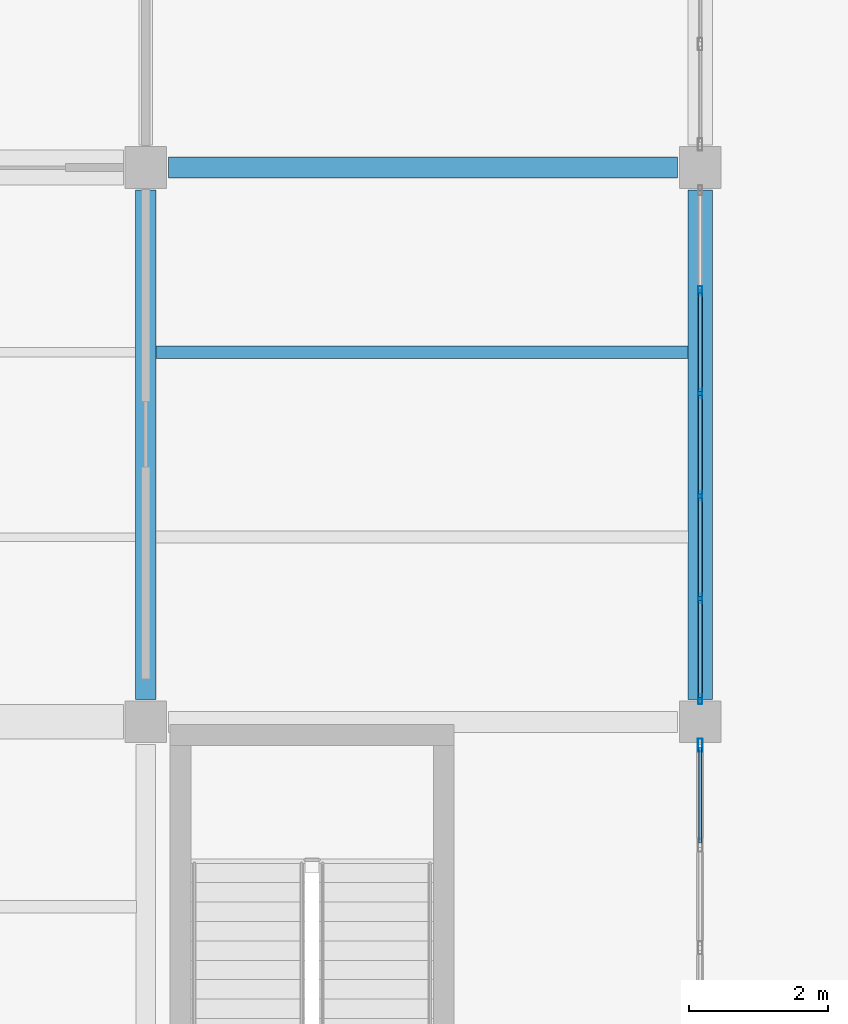
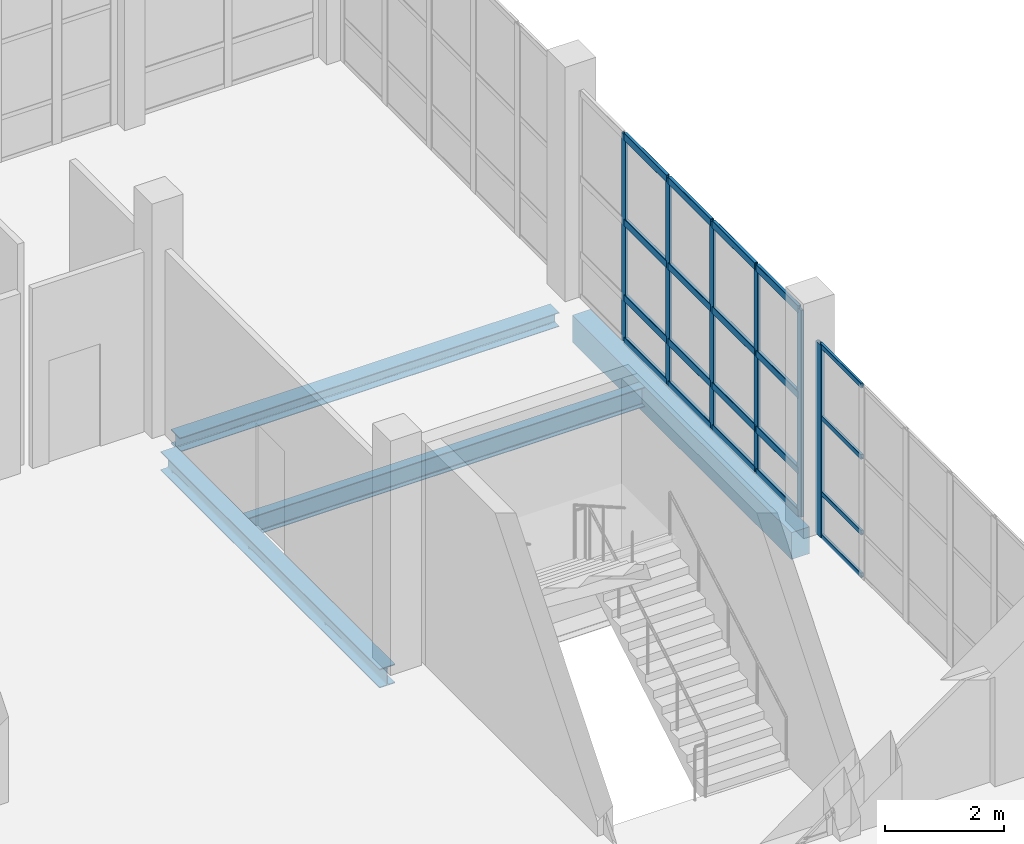
# One storey, part 70 of 156: 26 members, 4 beams, 2 elements without a shape of their own.
"""IFC4 building model written with IfcOpenShell, lengths in metres."""

from ifc_helpers import new_model, si_unit, direction, frame, origin, origin_2d, place, context, subcontext, project, spatial, rectangle, hollow_rectangle, i_section, extrude, material, material_profile, profile_set, type_object, element, aggregate, save


model = new_model("IFC4")

# Units and contexts
model_context = context("Model", 3, precision=1e-05, world=origin(), true_north=direction((0.0, 1.0)))
body_context = subcontext(model_context, "Body", "Model", "MODEL_VIEW")
ifc_project = project(units=[si_unit("LENGTHUNIT", "METRE"), si_unit("AREAUNIT", "SQUARE_METRE"), si_unit("VOLUMEUNIT", "CUBIC_METRE"), si_unit("PLANEANGLEUNIT", "RADIAN"), si_unit("MASSUNIT", "GRAM", prefix="KILO")], contexts=[model_context])

# Site, building, storey
site_placement = place(None, origin())
site = spatial("IfcSite", under=ifc_project, at=site_placement, CompositionType="ELEMENT")
building_placement = place(site_placement, origin())
building = spatial("IfcBuilding", under=site, at=building_placement, Name="Luwemba Playhouse", CompositionType="ELEMENT")
storey_placement = place(building_placement, origin())
storey = spatial("IfcBuildingStorey", under=building, at=storey_placement, Name="L00", CompositionType="ELEMENT", Elevation=0.0)

# Beams
ifc_material_1 = material(Name="Steel S355", Category="steel")
ifc_material_profile_1 = material_profile(ifc_material_1, i_section(OverallWidth=0.300048828125, OverallDepth=0.2900390625, WebThickness=0.008544921875, FlangeThickness=0.013916015625, FilletRadius=0.027099609375, at=origin_2d()))
ifc_profile_set_1 = profile_set([ifc_material_profile_1], Name="Steel S355")
beam_type_1 = type_object("IfcBeamType", Name="BM-SB03", PredefinedType="BEAM", material=ifc_profile_set_1)
beam_1_placement = place(storey_placement, frame((164.324951171875, 19.0, -0.445068359375), z_axis=(1.0, 0.0, 0.0), x_axis=(0.0, 1.0, 0.0)))
element("IfcBeam", 1, at=beam_1_placement, inside=storey, type_object=beam_type_1, Name="L00 grid girder 0222", PredefinedType="BEAM", context=body_context, shape_type="SweptSolid", body=[
    extrude(i_section(OverallWidth=0.300048828125, OverallDepth=0.2900390625, WebThickness=0.008544921875, FlangeThickness=0.013916015625, FilletRadius=0.027099609375, at=origin_2d()), origin(), (0.0, 0.0, 1.0), 7.35009765625),
])
ifc_material_profile_2 = material_profile(ifc_material_1, i_section(OverallWidth=0.300048828125, OverallDepth=0.389892578125, WebThickness=0.010986328125, FlangeThickness=0.01904296875, FilletRadius=0.027099609375, at=origin_2d()))
ifc_profile_set_2 = profile_set([ifc_material_profile_2], Name="Steel S355")
beam_type_2 = type_object("IfcBeamType", Name="BM-SB05", PredefinedType="BEAM", material=ifc_profile_set_2)
beam_2_placement = place(storey_placement, frame((164.0, 11.324951171875, -0.4951171875), z_axis=(0.0, 1.0, 0.0), x_axis=(-1.0, 0.0, 0.0)))
element("IfcBeam", 2, at=beam_2_placement, inside=storey, type_object=beam_type_2, Name="L00 transverse girder 0249", PredefinedType="BEAM", context=body_context, shape_type="SweptSolid", body=[
    extrude(i_section(OverallWidth=0.300048828125, OverallDepth=0.389892578125, WebThickness=0.010986328125, FlangeThickness=0.01904296875, FilletRadius=0.027099609375, at=origin_2d()), origin(), (0.0, 0.0, 1.0), 7.35009765625),
])
ifc_material_profile_3 = material_profile(ifc_material_1, i_section(OverallWidth=0.179931640625, OverallDepth=0.39990234375, WebThickness=0.008544921875, FlangeThickness=0.013427734375, FilletRadius=0.02099609375, at=origin_2d()))
ifc_profile_set_3 = profile_set([ifc_material_profile_3], Name="Steel S355")
beam_type_3 = type_object("IfcBeamType", Name="BM-SJ08", PredefinedType="JOIST", material=ifc_profile_set_3)
beam_3_placement = place(storey_placement, frame((164.14599609375, 16.333251953125, -0.5), z_axis=(1.0, 0.0, 0.0), x_axis=(0.0, 1.0, 0.0)))
element("IfcBeam", 3, at=beam_3_placement, inside=storey, type_object=beam_type_3, Name="L00 composite floor joist 0190", PredefinedType="JOIST", context=body_context, shape_type="SweptSolid", body=[
    extrude(i_section(OverallWidth=0.179931640625, OverallDepth=0.39990234375, WebThickness=0.008544921875, FlangeThickness=0.013427734375, FilletRadius=0.02099609375, at=origin_2d()), origin(), (0.0, 0.0, 1.0), 7.68310546875),
])
ifc_material_2 = material(Name="Concrete C40/50", Category="concrete")
ifc_material_profile_4 = material_profile(ifc_material_2, rectangle(XDim=0.35009765625, YDim=0.550048828125, at=origin_2d()))
ifc_profile_set_4 = profile_set([ifc_material_profile_4], Name="Concrete C40/50")
beam_type_4 = type_object("IfcBeamType", Name="BM-SP2", PredefinedType="SPANDREL", material=ifc_profile_set_4)
beam_4_placement = place(storey_placement, frame((172.0, 11.324951171875, -0.574951171875), z_axis=(0.0, 1.0, 0.0), x_axis=(-1.0, 0.0, 0.0)))
element("IfcBeam", 4, at=beam_4_placement, inside=storey, type_object=beam_type_4, Name="L00 transverse girder 0252", PredefinedType="SPANDREL", context=body_context, shape_type="SweptSolid", body=[
    extrude(rectangle(XDim=0.35009765625, YDim=0.550048828125, at=origin_2d()), origin(), (0.0, 0.0, 1.0), 7.35009765625),
])

# Curtain wall, members
ifc_material_3 = material(Name="Solar-control double glazing", Category="glass")
curtain_wall_type_1 = type_object("IfcCurtainWallType", Name="CW-CW59", PredefinedType="USERDEFINED", material=ifc_material_3)
curtain_wall_1_placement = place(storey_placement, origin())
curtain_wall_1 = element("IfcCurtainWall", 5, at=curtain_wall_1_placement, inside=storey, type_object=curtain_wall_type_1, Name="L00 V5E unitised curtain wall 069", ObjectType="UNITISED GLAZING", PredefinedType="USERDEFINED")
ifc_material_4 = material(Name="Aluminium 6063-T6", Category="aluminium")
ifc_material_profile_5 = material_profile(ifc_material_4, hollow_rectangle(XDim=0.054931640625, YDim=0.139892578125, WallThickness=0.00390625, InnerFilletRadius=0.006103515625, OuterFilletRadius=0.010009765625, at=origin_2d()))
ifc_profile_set_5 = profile_set([ifc_material_profile_5], Name="Aluminium 6063-T6")
member_type_1 = type_object("IfcMemberType", Name="CWM-M3", PredefinedType="MULLION", material=ifc_profile_set_5)
member_1_placement = place(storey_placement, frame((172.0, 17.219970703125, 0.0), z_axis=(0.0, 0.0, 1.0), x_axis=(1.0, 0.0, 0.0)))
member_1 = element("IfcMember", 6, at=member_1_placement, type_object=member_type_1, Name="CW59 mullion 2", PredefinedType="MULLION", context=body_context, shape_type="SweptSolid", body=[
    extrude(hollow_rectangle(XDim=0.054931640625, YDim=0.139892578125, WallThickness=0.00390625, InnerFilletRadius=0.006103515625, OuterFilletRadius=0.010009765625, at=origin_2d()), origin(), (0.0, 0.0, 1.0), 4.235107421875),
])
member_2_placement = place(storey_placement, frame((172.0, 15.739990234375, 0.0), z_axis=(0.0, 0.0, 1.0), x_axis=(1.0, 0.0, 0.0)))
member_2 = element("IfcMember", 7, at=member_2_placement, type_object=member_type_1, Name="CW59 mullion 3", PredefinedType="MULLION", context=body_context, shape_type="SweptSolid", body=[
    extrude(hollow_rectangle(XDim=0.054931640625, YDim=0.139892578125, WallThickness=0.00390625, InnerFilletRadius=0.006103515625, OuterFilletRadius=0.010009765625, at=origin_2d()), origin(), (0.0, 0.0, 1.0), 4.235107421875),
])
member_3_placement = place(storey_placement, frame((172.0, 14.260009765625, 0.0), z_axis=(0.0, 0.0, 1.0), x_axis=(1.0, 0.0, 0.0)))
member_3 = element("IfcMember", 8, at=member_3_placement, type_object=member_type_1, Name="CW59 mullion 4", PredefinedType="MULLION", context=body_context, shape_type="SweptSolid", body=[
    extrude(hollow_rectangle(XDim=0.054931640625, YDim=0.139892578125, WallThickness=0.00390625, InnerFilletRadius=0.006103515625, OuterFilletRadius=0.010009765625, at=origin_2d()), origin(), (0.0, 0.0, 1.0), 4.235107421875),
])
member_4_placement = place(storey_placement, frame((172.0, 12.780029296875, 0.0), z_axis=(0.0, 0.0, 1.0), x_axis=(1.0, 0.0, 0.0)))
member_4 = element("IfcMember", 9, at=member_4_placement, type_object=member_type_1, Name="CW59 mullion 5", PredefinedType="MULLION", context=body_context, shape_type="SweptSolid", body=[
    extrude(hollow_rectangle(XDim=0.054931640625, YDim=0.139892578125, WallThickness=0.00390625, InnerFilletRadius=0.006103515625, OuterFilletRadius=0.010009765625, at=origin_2d()), origin(), (0.0, 0.0, 1.0), 4.235107421875),
])
member_5_placement = place(storey_placement, frame((172.0, 11.327392578125, 0.0), z_axis=(0.0, 0.0, 1.0), x_axis=(1.0, 0.0, 0.0)))
member_5 = element("IfcMember", 10, at=member_5_placement, type_object=member_type_1, Name="CW59 mullion 6", PredefinedType="MULLION", context=body_context, shape_type="SweptSolid", body=[
    extrude(hollow_rectangle(XDim=0.054931640625, YDim=0.139892578125, WallThickness=0.00390625, InnerFilletRadius=0.006103515625, OuterFilletRadius=0.010009765625, at=origin_2d()), origin(), (0.0, 0.0, 1.0), 4.235107421875),
])

# Curtain wall, member
curtain_wall_type_2 = type_object("IfcCurtainWallType", Name="CW-CW06", PredefinedType="USERDEFINED", material=ifc_material_3)
curtain_wall_2_placement = place(storey_placement, origin())
curtain_wall_2 = element("IfcCurtainWall", 11, at=curtain_wall_2_placement, inside=storey, type_object=curtain_wall_type_2, Name="L00 V5E unitised curtain wall 070", ObjectType="UNITISED GLAZING", PredefinedType="USERDEFINED")
ifc_material_profile_6 = material_profile(ifc_material_4, hollow_rectangle(XDim=0.070068359375, YDim=0.18994140625, WallThickness=0.0048828125, InnerFilletRadius=0.007568359375, OuterFilletRadius=0.012451171875, at=origin_2d()))
ifc_profile_set_6 = profile_set([ifc_material_profile_6], Name="Aluminium 6063-T6")
member_type_2 = type_object("IfcMemberType", Name="CWM-M4", PredefinedType="MULLION", material=ifc_profile_set_6)
member_6_placement = place(storey_placement, frame((172.0, 10.6650390625, 0.0), z_axis=(0.0, 0.0, 1.0), x_axis=(1.0, 0.0, 0.0)))
member_6 = element("IfcMember", 12, at=member_6_placement, type_object=member_type_2, Name="CW06 mullion 1", PredefinedType="MULLION", context=body_context, shape_type="SweptSolid", body=[
    extrude(hollow_rectangle(XDim=0.070068359375, YDim=0.18994140625, WallThickness=0.0048828125, InnerFilletRadius=0.007568359375, OuterFilletRadius=0.012451171875, at=origin_2d()), origin(), (0.0, 0.0, 1.0), 3.93505859375),
])

# Member
ifc_material_profile_7 = material_profile(ifc_material_4, hollow_rectangle(XDim=0.06494140625, YDim=0.14990234375, WallThickness=0.00390625, InnerFilletRadius=0.006103515625, OuterFilletRadius=0.010009765625, at=origin_2d()))
ifc_profile_set_7 = profile_set([ifc_material_profile_7], Name="Aluminium 6063-T6")
member_type_3 = type_object("IfcMemberType", Name="CWT-T3", PredefinedType="USERDEFINED", material=ifc_profile_set_7)
member_7_placement = place(storey_placement, frame((172.0, 17.1923828125, 0.032470703125), z_axis=(0.0, -1.0, 0.0), x_axis=(1.0, 0.0, 0.0)))
member_7 = element("IfcMember", 13, at=member_7_placement, type_object=member_type_3, Name="CW59 transom 2.1", ObjectType="TRANSOM", PredefinedType="USERDEFINED", context=body_context, shape_type="SweptSolid", body=[
    extrude(hollow_rectangle(XDim=0.06494140625, YDim=0.14990234375, WallThickness=0.00390625, InnerFilletRadius=0.006103515625, OuterFilletRadius=0.010009765625, at=origin_2d()), origin(), (0.0, 0.0, 1.0), 1.4248046875),
])

member_8_placement = place(storey_placement, frame((172.0, 17.1923828125, 0.89990234375), z_axis=(0.0, -1.0, 0.0), x_axis=(1.0, 0.0, 0.0)))
member_8 = element("IfcMember", 14, at=member_8_placement, type_object=member_type_3, Name="CW59 transom 2.2", ObjectType="TRANSOM", PredefinedType="USERDEFINED", context=body_context, shape_type="SweptSolid", body=[
    extrude(hollow_rectangle(XDim=0.06494140625, YDim=0.14990234375, WallThickness=0.00390625, InnerFilletRadius=0.006103515625, OuterFilletRadius=0.010009765625, at=origin_2d()), origin(), (0.0, 0.0, 1.0), 1.4248046875),
])

member_9_placement = place(storey_placement, frame((172.0, 17.1923828125, 2.449951171875), z_axis=(0.0, -1.0, 0.0), x_axis=(1.0, 0.0, 0.0)))
member_9 = element("IfcMember", 15, at=member_9_placement, type_object=member_type_3, Name="CW59 transom 2.3", ObjectType="TRANSOM", PredefinedType="USERDEFINED", context=body_context, shape_type="SweptSolid", body=[
    extrude(hollow_rectangle(XDim=0.06494140625, YDim=0.14990234375, WallThickness=0.00390625, InnerFilletRadius=0.006103515625, OuterFilletRadius=0.010009765625, at=origin_2d()), origin(), (0.0, 0.0, 1.0), 1.4248046875),
])

member_10_placement = place(storey_placement, frame((172.0, 17.1923828125, 4.202392578125), z_axis=(0.0, -1.0, 0.0), x_axis=(1.0, 0.0, 0.0)))
member_10 = element("IfcMember", 16, at=member_10_placement, type_object=member_type_3, Name="CW59 transom 2.4", ObjectType="TRANSOM", PredefinedType="USERDEFINED", context=body_context, shape_type="SweptSolid", body=[
    extrude(hollow_rectangle(XDim=0.06494140625, YDim=0.14990234375, WallThickness=0.00390625, InnerFilletRadius=0.006103515625, OuterFilletRadius=0.010009765625, at=origin_2d()), origin(), (0.0, 0.0, 1.0), 1.4248046875),
])

member_11_placement = place(storey_placement, frame((172.0, 15.71240234375, 0.032470703125), z_axis=(0.0, -1.0, 0.0), x_axis=(1.0, 0.0, 0.0)))
member_11 = element("IfcMember", 17, at=member_11_placement, type_object=member_type_3, Name="CW59 transom 3.1", ObjectType="TRANSOM", PredefinedType="USERDEFINED", context=body_context, shape_type="SweptSolid", body=[
    extrude(hollow_rectangle(XDim=0.06494140625, YDim=0.14990234375, WallThickness=0.00390625, InnerFilletRadius=0.006103515625, OuterFilletRadius=0.010009765625, at=origin_2d()), origin(), (0.0, 0.0, 1.0), 1.4248046875),
])

member_12_placement = place(storey_placement, frame((172.0, 15.71240234375, 0.89990234375), z_axis=(0.0, -1.0, 0.0), x_axis=(1.0, 0.0, 0.0)))
member_12 = element("IfcMember", 18, at=member_12_placement, type_object=member_type_3, Name="CW59 transom 3.2", ObjectType="TRANSOM", PredefinedType="USERDEFINED", context=body_context, shape_type="SweptSolid", body=[
    extrude(hollow_rectangle(XDim=0.06494140625, YDim=0.14990234375, WallThickness=0.00390625, InnerFilletRadius=0.006103515625, OuterFilletRadius=0.010009765625, at=origin_2d()), origin(), (0.0, 0.0, 1.0), 1.4248046875),
])

member_13_placement = place(storey_placement, frame((172.0, 15.71240234375, 2.449951171875), z_axis=(0.0, -1.0, 0.0), x_axis=(1.0, 0.0, 0.0)))
member_13 = element("IfcMember", 19, at=member_13_placement, type_object=member_type_3, Name="CW59 transom 3.3", ObjectType="TRANSOM", PredefinedType="USERDEFINED", context=body_context, shape_type="SweptSolid", body=[
    extrude(hollow_rectangle(XDim=0.06494140625, YDim=0.14990234375, WallThickness=0.00390625, InnerFilletRadius=0.006103515625, OuterFilletRadius=0.010009765625, at=origin_2d()), origin(), (0.0, 0.0, 1.0), 1.4248046875),
])

member_14_placement = place(storey_placement, frame((172.0, 15.71240234375, 4.202392578125), z_axis=(0.0, -1.0, 0.0), x_axis=(1.0, 0.0, 0.0)))
member_14 = element("IfcMember", 20, at=member_14_placement, type_object=member_type_3, Name="CW59 transom 3.4", ObjectType="TRANSOM", PredefinedType="USERDEFINED", context=body_context, shape_type="SweptSolid", body=[
    extrude(hollow_rectangle(XDim=0.06494140625, YDim=0.14990234375, WallThickness=0.00390625, InnerFilletRadius=0.006103515625, OuterFilletRadius=0.010009765625, at=origin_2d()), origin(), (0.0, 0.0, 1.0), 1.4248046875),
])

member_15_placement = place(storey_placement, frame((172.0, 14.232421875, 0.032470703125), z_axis=(0.0, -1.0, 0.0), x_axis=(1.0, 0.0, 0.0)))
member_15 = element("IfcMember", 21, at=member_15_placement, type_object=member_type_3, Name="CW59 transom 4.1", ObjectType="TRANSOM", PredefinedType="USERDEFINED", context=body_context, shape_type="SweptSolid", body=[
    extrude(hollow_rectangle(XDim=0.06494140625, YDim=0.14990234375, WallThickness=0.00390625, InnerFilletRadius=0.006103515625, OuterFilletRadius=0.010009765625, at=origin_2d()), origin(), (0.0, 0.0, 1.0), 1.4248046875),
])

member_16_placement = place(storey_placement, frame((172.0, 14.232421875, 0.89990234375), z_axis=(0.0, -1.0, 0.0), x_axis=(1.0, 0.0, 0.0)))
member_16 = element("IfcMember", 22, at=member_16_placement, type_object=member_type_3, Name="CW59 transom 4.2", ObjectType="TRANSOM", PredefinedType="USERDEFINED", context=body_context, shape_type="SweptSolid", body=[
    extrude(hollow_rectangle(XDim=0.06494140625, YDim=0.14990234375, WallThickness=0.00390625, InnerFilletRadius=0.006103515625, OuterFilletRadius=0.010009765625, at=origin_2d()), origin(), (0.0, 0.0, 1.0), 1.4248046875),
])

member_17_placement = place(storey_placement, frame((172.0, 14.232421875, 2.449951171875), z_axis=(0.0, -1.0, 0.0), x_axis=(1.0, 0.0, 0.0)))
member_17 = element("IfcMember", 23, at=member_17_placement, type_object=member_type_3, Name="CW59 transom 4.3", ObjectType="TRANSOM", PredefinedType="USERDEFINED", context=body_context, shape_type="SweptSolid", body=[
    extrude(hollow_rectangle(XDim=0.06494140625, YDim=0.14990234375, WallThickness=0.00390625, InnerFilletRadius=0.006103515625, OuterFilletRadius=0.010009765625, at=origin_2d()), origin(), (0.0, 0.0, 1.0), 1.4248046875),
])

member_18_placement = place(storey_placement, frame((172.0, 14.232421875, 4.202392578125), z_axis=(0.0, -1.0, 0.0), x_axis=(1.0, 0.0, 0.0)))
member_18 = element("IfcMember", 24, at=member_18_placement, type_object=member_type_3, Name="CW59 transom 4.4", ObjectType="TRANSOM", PredefinedType="USERDEFINED", context=body_context, shape_type="SweptSolid", body=[
    extrude(hollow_rectangle(XDim=0.06494140625, YDim=0.14990234375, WallThickness=0.00390625, InnerFilletRadius=0.006103515625, OuterFilletRadius=0.010009765625, at=origin_2d()), origin(), (0.0, 0.0, 1.0), 1.4248046875),
])

member_19_placement = place(storey_placement, frame((172.0, 12.75244140625, 0.032470703125), z_axis=(0.0, -1.0, 0.0), x_axis=(1.0, 0.0, 0.0)))
member_19 = element("IfcMember", 25, at=member_19_placement, type_object=member_type_3, Name="CW59 transom 5.1", ObjectType="TRANSOM", PredefinedType="USERDEFINED", context=body_context, shape_type="SweptSolid", body=[
    extrude(hollow_rectangle(XDim=0.06494140625, YDim=0.14990234375, WallThickness=0.00390625, InnerFilletRadius=0.006103515625, OuterFilletRadius=0.010009765625, at=origin_2d()), origin(), (0.0, 0.0, 1.0), 1.3974609375),
])

member_20_placement = place(storey_placement, frame((172.0, 12.75244140625, 0.89990234375), z_axis=(0.0, -1.0, 0.0), x_axis=(1.0, 0.0, 0.0)))
member_20 = element("IfcMember", 26, at=member_20_placement, type_object=member_type_3, Name="CW59 transom 5.2", ObjectType="TRANSOM", PredefinedType="USERDEFINED", context=body_context, shape_type="SweptSolid", body=[
    extrude(hollow_rectangle(XDim=0.06494140625, YDim=0.14990234375, WallThickness=0.00390625, InnerFilletRadius=0.006103515625, OuterFilletRadius=0.010009765625, at=origin_2d()), origin(), (0.0, 0.0, 1.0), 1.3974609375),
])

member_21_placement = place(storey_placement, frame((172.0, 12.75244140625, 2.449951171875), z_axis=(0.0, -1.0, 0.0), x_axis=(1.0, 0.0, 0.0)))
member_21 = element("IfcMember", 27, at=member_21_placement, type_object=member_type_3, Name="CW59 transom 5.3", ObjectType="TRANSOM", PredefinedType="USERDEFINED", context=body_context, shape_type="SweptSolid", body=[
    extrude(hollow_rectangle(XDim=0.06494140625, YDim=0.14990234375, WallThickness=0.00390625, InnerFilletRadius=0.006103515625, OuterFilletRadius=0.010009765625, at=origin_2d()), origin(), (0.0, 0.0, 1.0), 1.3974609375),
])

member_22_placement = place(storey_placement, frame((172.0, 12.75244140625, 4.202392578125), z_axis=(0.0, -1.0, 0.0), x_axis=(1.0, 0.0, 0.0)))
member_22 = element("IfcMember", 28, at=member_22_placement, type_object=member_type_3, Name="CW59 transom 5.4", ObjectType="TRANSOM", PredefinedType="USERDEFINED", context=body_context, shape_type="SweptSolid", body=[
    extrude(hollow_rectangle(XDim=0.06494140625, YDim=0.14990234375, WallThickness=0.00390625, InnerFilletRadius=0.006103515625, OuterFilletRadius=0.010009765625, at=origin_2d()), origin(), (0.0, 0.0, 1.0), 1.3974609375),
])

aggregate(curtain_wall_1, [member_1, member_2, member_3, member_4, member_5, member_7, member_8, member_9, member_10, member_11, member_12, member_13, member_14, member_15, member_16, member_17, member_18, member_19, member_20, member_21, member_22])

ifc_material_profile_8 = material_profile(ifc_material_4, hollow_rectangle(XDim=0.050048828125, YDim=0.10009765625, WallThickness=0.00341796875, InnerFilletRadius=0.00537109375, OuterFilletRadius=0.0087890625, at=origin_2d()))
ifc_profile_set_8 = profile_set([ifc_material_profile_8], Name="Aluminium 6063-T6")
member_type_4 = type_object("IfcMemberType", Name="CWT-T4", PredefinedType="USERDEFINED", material=ifc_profile_set_8)
member_23_placement = place(storey_placement, frame((172.0, 10.6298828125, 0.02490234375), z_axis=(0.0, -1.0, 0.0), x_axis=(1.0, 0.0, 0.0)))
member_23 = element("IfcMember", 29, at=member_23_placement, type_object=member_type_4, Name="CW06 transom 1.1", ObjectType="TRANSOM", PredefinedType="USERDEFINED", context=body_context, shape_type="SweptSolid", body=[
    extrude(hollow_rectangle(XDim=0.050048828125, YDim=0.10009765625, WallThickness=0.00341796875, InnerFilletRadius=0.00537109375, OuterFilletRadius=0.0087890625, at=origin_2d()), origin(), (0.0, 0.0, 1.0), 1.375),
])

member_24_placement = place(storey_placement, frame((172.0, 10.6298828125, 0.89990234375), z_axis=(0.0, -1.0, 0.0), x_axis=(1.0, 0.0, 0.0)))
member_24 = element("IfcMember", 30, at=member_24_placement, type_object=member_type_4, Name="CW06 transom 1.2", ObjectType="TRANSOM", PredefinedType="USERDEFINED", context=body_context, shape_type="SweptSolid", body=[
    extrude(hollow_rectangle(XDim=0.050048828125, YDim=0.10009765625, WallThickness=0.00341796875, InnerFilletRadius=0.00537109375, OuterFilletRadius=0.0087890625, at=origin_2d()), origin(), (0.0, 0.0, 1.0), 1.375),
])

member_25_placement = place(storey_placement, frame((172.0, 10.6298828125, 2.449951171875), z_axis=(0.0, -1.0, 0.0), x_axis=(1.0, 0.0, 0.0)))
member_25 = element("IfcMember", 31, at=member_25_placement, type_object=member_type_4, Name="CW06 transom 1.3", ObjectType="TRANSOM", PredefinedType="USERDEFINED", context=body_context, shape_type="SweptSolid", body=[
    extrude(hollow_rectangle(XDim=0.050048828125, YDim=0.10009765625, WallThickness=0.00341796875, InnerFilletRadius=0.00537109375, OuterFilletRadius=0.0087890625, at=origin_2d()), origin(), (0.0, 0.0, 1.0), 1.375),
])

member_26_placement = place(storey_placement, frame((172.0, 10.6298828125, 3.909912109375), z_axis=(0.0, -1.0, 0.0), x_axis=(1.0, 0.0, 0.0)))
member_26 = element("IfcMember", 32, at=member_26_placement, type_object=member_type_4, Name="CW06 transom 1.4", ObjectType="TRANSOM", PredefinedType="USERDEFINED", context=body_context, shape_type="SweptSolid", body=[
    extrude(hollow_rectangle(XDim=0.050048828125, YDim=0.10009765625, WallThickness=0.00341796875, InnerFilletRadius=0.00537109375, OuterFilletRadius=0.0087890625, at=origin_2d()), origin(), (0.0, 0.0, 1.0), 1.375),
])

aggregate(curtain_wall_2, [member_6, member_23, member_24, member_25, member_26])

save(model, "model.ifc")
